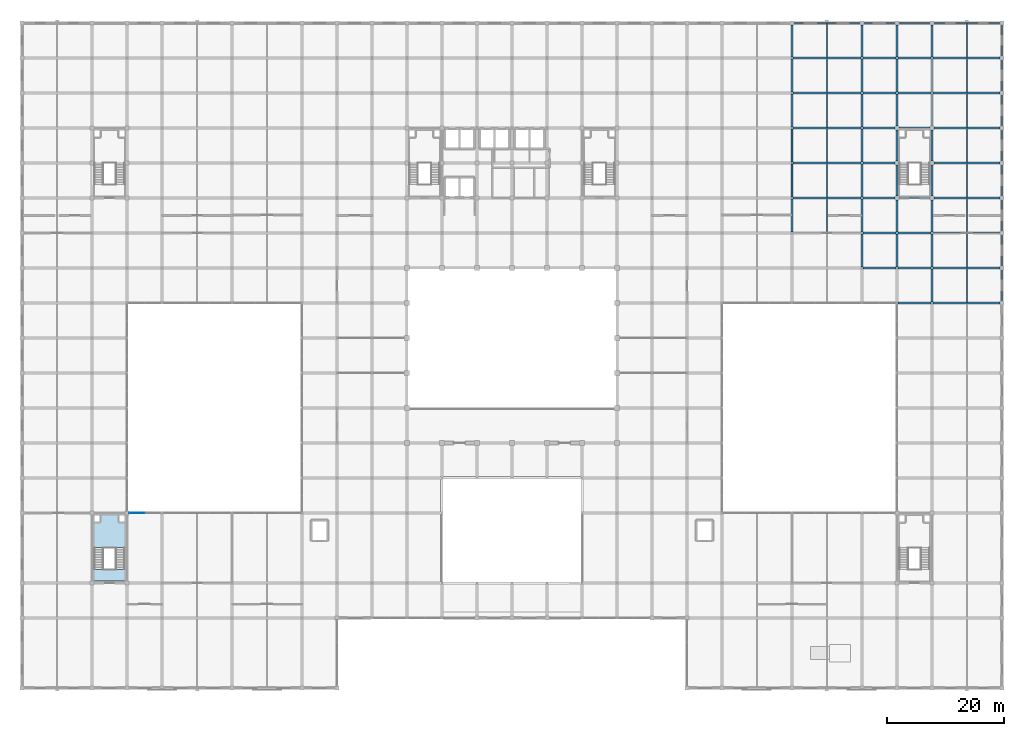
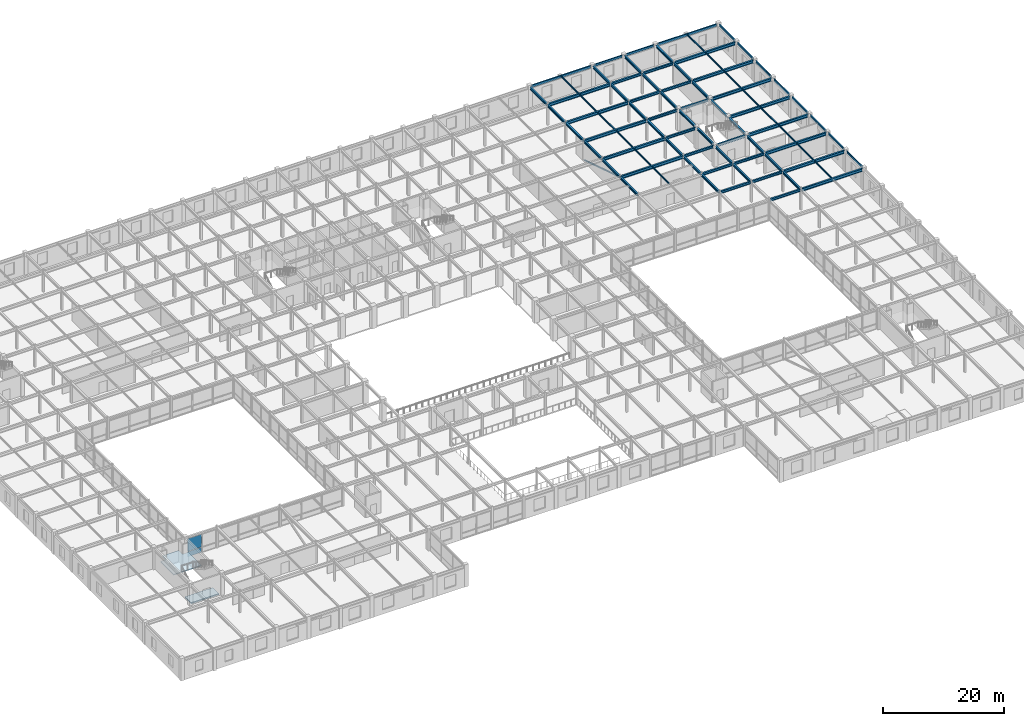
# One storey, part 92 of 108: 81 beams, 2 plates, 2 slabs, 1 member, 2 elements without a shape of their own.
"""IFC4 building model written with IfcOpenShell, lengths in metres."""

from ifc_helpers import new_model, si_unit, direction, frame, origin, origin_2d, place, context, subcontext, project, spatial, polyline, rectangle, hollow_rectangle, i_section, outline, extrude, material, layer, layer_set, material_profile, profile_set, type_object, element, aggregate, save


model = new_model("IFC4")

# Units and contexts
model_context = context("Model", 3, precision=1e-05, world=origin(), true_north=direction((0.0, 1.0)))
body_context = subcontext(model_context, "Body", "Model", "MODEL_VIEW")
ifc_project = project(units=[si_unit("LENGTHUNIT", "METRE"), si_unit("AREAUNIT", "SQUARE_METRE"), si_unit("VOLUMEUNIT", "CUBIC_METRE"), si_unit("PLANEANGLEUNIT", "RADIAN"), si_unit("MASSUNIT", "GRAM", prefix="KILO")], contexts=[model_context])

# Site, building, storey
site_placement = place(None, origin())
site = spatial("IfcSite", under=ifc_project, at=site_placement, CompositionType="ELEMENT")
building_placement = place(site_placement, origin())
building = spatial("IfcBuilding", under=site, at=building_placement, Name="Zlatovratsky Civic Hall", CompositionType="ELEMENT")
storey_placement = place(building_placement, frame((0.0, 0.0, 12.0)))
storey = spatial("IfcBuildingStorey", under=building, at=storey_placement, Name="L03", CompositionType="ELEMENT", Elevation=12.0)

# Beams
ifc_material_1 = material(Name="Steel S355", Category="steel")
ifc_material_profile_1 = material_profile(ifc_material_1, i_section(OverallWidth=0.300048828125, OverallDepth=0.48193359375, WebThickness=0.010986328125, FlangeThickness=0.014892578125, FilletRadius=0.02392578125, at=origin_2d()), Name="50Sh1")
ifc_profile_set_1 = profile_set([ifc_material_profile_1], Name="Steel S355")
beam_type_1 = type_object("IfcBeamType", Name="Beam_LibraryGirder_50Sh1", PredefinedType="BEAM", material=ifc_profile_set_1)
for number, where, z_axis, x_axis, name in (
    (1, (150.1494140625, 66.0, 3.97900390625), (1.0, 0.0, 0.0), (0.0, 1.0, 0.0), "BM-2619"),
    (2, (144.1494140625, 72.0, 3.97900390625), (1.0, 0.0, 0.0), (0.0, 1.0, 0.0), "BM-2640"),
    (3, (150.1494140625, 72.0, 3.97900390625), (1.0, 0.0, 0.0), (0.0, 1.0, 0.0), "BM-2641"),
    (4, (144.1494140625, 78.0, 3.97900390625), (1.0, 0.0, 0.0), (0.0, 1.0, 0.0), "BM-2662"),
    (5, (150.1494140625, 78.0, 3.97900390625), (1.0, 0.0, 0.0), (0.0, 1.0, 0.0), "BM-2663"),
):
    element("IfcBeam", number, at=place(storey_placement, frame(where, z_axis=z_axis, x_axis=x_axis)), inside=storey, type_object=beam_type_1, Name=name, PredefinedType="BEAM", context=body_context, shape_type="SweptSolid", body=[
        extrude(i_section(OverallWidth=0.300048828125, OverallDepth=0.48193359375, WebThickness=0.010986328125, FlangeThickness=0.014892578125, FilletRadius=0.02392578125, at=origin_2d()), origin(), (0.0, 0.0, 1.0), 5.701171875),
    ])
beam_1_placement = place(storey_placement, frame((144.1494140625, 84.0, 3.97900390625), z_axis=(1.0, 0.0, 0.0), x_axis=(0.0, 1.0, 0.0)))
element("IfcBeam", 6, at=beam_1_placement, inside=storey, type_object=beam_type_1, Name="BM-2684", PredefinedType="BEAM", context=body_context, shape_type="SweptSolid", body=[
    extrude(i_section(OverallWidth=0.300048828125, OverallDepth=0.48193359375, WebThickness=0.010986328125, FlangeThickness=0.014892578125, FilletRadius=0.02392578125, at=origin_2d()), origin(), (0.0, 0.0, 1.0), 5.50048828125),
])
beam_2_placement = place(storey_placement, frame((150.35009765625, 84.0, 3.97900390625), z_axis=(1.0, 0.0, 0.0), x_axis=(0.0, 1.0, 0.0)))
element("IfcBeam", 7, at=beam_2_placement, inside=storey, type_object=beam_type_1, Name="BM-2685", PredefinedType="BEAM", context=body_context, shape_type="SweptSolid", body=[
    extrude(i_section(OverallWidth=0.300048828125, OverallDepth=0.48193359375, WebThickness=0.010986328125, FlangeThickness=0.014892578125, FilletRadius=0.02392578125, at=origin_2d()), origin(), (0.0, 0.0, 1.0), 5.2998046875),
])
for number, where, z_axis, x_axis, name in (
    (8, (144.1494140625, 90.0, 3.97900390625), (1.0, 0.0, 0.0), (0.0, 1.0, 0.0), "BM-2703"),
    (9, (144.1494140625, 96.0, 3.97900390625), (1.0, 0.0, 0.0), (0.0, 1.0, 0.0), "BM-2724"),
):
    element("IfcBeam", number, at=place(storey_placement, frame(where, z_axis=z_axis, x_axis=x_axis)), inside=storey, type_object=beam_type_1, Name=name, PredefinedType="BEAM", context=body_context, shape_type="SweptSolid", body=[
        extrude(i_section(OverallWidth=0.300048828125, OverallDepth=0.48193359375, WebThickness=0.010986328125, FlangeThickness=0.014892578125, FilletRadius=0.02392578125, at=origin_2d()), origin(), (0.0, 0.0, 1.0), 5.50048828125),
    ])
beam_3_placement = place(storey_placement, frame((150.35009765625, 96.0, 3.97900390625), z_axis=(1.0, 0.0, 0.0), x_axis=(0.0, 1.0, 0.0)))
element("IfcBeam", 10, at=beam_3_placement, inside=storey, type_object=beam_type_1, Name="BM-2725", PredefinedType="BEAM", context=body_context, shape_type="SweptSolid", body=[
    extrude(i_section(OverallWidth=0.300048828125, OverallDepth=0.48193359375, WebThickness=0.010986328125, FlangeThickness=0.014892578125, FilletRadius=0.02392578125, at=origin_2d()), origin(), (0.0, 0.0, 1.0), 5.2998046875),
])
for number, where, z_axis, x_axis, name in (
    (11, (144.1494140625, 102.0, 3.97900390625), (1.0, 0.0, 0.0), (0.0, 1.0, 0.0), "BM-2746"),
    (12, (150.1494140625, 102.0, 3.97900390625), (1.0, 0.0, 0.0), (0.0, 1.0, 0.0), "BM-2747"),
    (13, (144.1494140625, 108.0, 3.97900390625), (1.0, 0.0, 0.0), (0.0, 1.0, 0.0), "BM-2768"),
    (14, (150.1494140625, 108.0, 3.97900390625), (1.0, 0.0, 0.0), (0.0, 1.0, 0.0), "BM-2769"),
):
    element("IfcBeam", number, at=place(storey_placement, frame(where, z_axis=z_axis, x_axis=x_axis)), inside=storey, type_object=beam_type_1, Name=name, PredefinedType="BEAM", context=body_context, shape_type="SweptSolid", body=[
        extrude(i_section(OverallWidth=0.300048828125, OverallDepth=0.48193359375, WebThickness=0.010986328125, FlangeThickness=0.014892578125, FilletRadius=0.02392578125, at=origin_2d()), origin(), (0.0, 0.0, 1.0), 5.701171875),
    ])
for number, where, z_axis, x_axis, name in (
    (15, (132.0, 78.14794921875, 3.97900390625), (0.0, 1.0, 0.0), (-1.0, 0.0, 0.0), "BM-3052"),
    (16, (132.0, 84.14794921875, 3.97900390625), (0.0, 1.0, 0.0), (-1.0, 0.0, 0.0), "BM-3053"),
    (17, (132.0, 90.14794921875, 3.97900390625), (0.0, 1.0, 0.0), (-1.0, 0.0, 0.0), "BM-3054"),
    (18, (132.0, 96.14794921875, 3.97900390625), (0.0, 1.0, 0.0), (-1.0, 0.0, 0.0), "BM-3055"),
    (19, (132.0, 102.14794921875, 3.97900390625), (0.0, 1.0, 0.0), (-1.0, 0.0, 0.0), "BM-3056"),
):
    element("IfcBeam", number, at=place(storey_placement, frame(where, z_axis=z_axis, x_axis=x_axis)), inside=storey, type_object=beam_type_1, Name=name, PredefinedType="BEAM", context=body_context, shape_type="SweptSolid", body=[
        extrude(i_section(OverallWidth=0.300048828125, OverallDepth=0.48193359375, WebThickness=0.010986328125, FlangeThickness=0.014892578125, FilletRadius=0.02392578125, at=origin_2d()), origin(), (0.0, 0.0, 1.0), 5.7041015625),
    ])
beam_4_placement = place(storey_placement, frame((132.0, 108.14794921875, 3.97900390625), z_axis=(0.0, 1.0, 0.0), x_axis=(-1.0, 0.0, 0.0)))
element("IfcBeam", 20, at=beam_4_placement, inside=storey, type_object=beam_type_1, Name="BM-3057", PredefinedType="BEAM", context=body_context, shape_type="SweptSolid", body=[
    extrude(i_section(OverallWidth=0.300048828125, OverallDepth=0.48193359375, WebThickness=0.010986328125, FlangeThickness=0.014892578125, FilletRadius=0.02392578125, at=origin_2d()), origin(), (0.0, 0.0, 1.0), 5.501953125),
])
for number, where, z_axis, x_axis, name in (
    (21, (144.0, 72.14794921875, 3.97900390625), (0.0, 1.0, 0.0), (-1.0, 0.0, 0.0), "BM-3062"),
    (22, (144.0, 78.14794921875, 3.97900390625), (0.0, 1.0, 0.0), (-1.0, 0.0, 0.0), "BM-3063"),
    (23, (144.0, 84.14794921875, 3.97900390625), (0.0, 1.0, 0.0), (-1.0, 0.0, 0.0), "BM-3064"),
    (24, (144.0, 90.14794921875, 3.97900390625), (0.0, 1.0, 0.0), (-1.0, 0.0, 0.0), "BM-3065"),
    (25, (144.0, 96.14794921875, 3.97900390625), (0.0, 1.0, 0.0), (-1.0, 0.0, 0.0), "BM-3066"),
    (26, (144.0, 102.14794921875, 3.97900390625), (0.0, 1.0, 0.0), (-1.0, 0.0, 0.0), "BM-3067"),
):
    element("IfcBeam", number, at=place(storey_placement, frame(where, z_axis=z_axis, x_axis=x_axis)), inside=storey, type_object=beam_type_1, Name=name, PredefinedType="BEAM", context=body_context, shape_type="SweptSolid", body=[
        extrude(i_section(OverallWidth=0.300048828125, OverallDepth=0.48193359375, WebThickness=0.010986328125, FlangeThickness=0.014892578125, FilletRadius=0.02392578125, at=origin_2d()), origin(), (0.0, 0.0, 1.0), 5.7041015625),
    ])
beam_5_placement = place(storey_placement, frame((144.0, 108.14794921875, 3.97900390625), z_axis=(0.0, 1.0, 0.0), x_axis=(-1.0, 0.0, 0.0)))
element("IfcBeam", 27, at=beam_5_placement, inside=storey, type_object=beam_type_1, Name="BM-3068", PredefinedType="BEAM", context=body_context, shape_type="SweptSolid", body=[
    extrude(i_section(OverallWidth=0.300048828125, OverallDepth=0.48193359375, WebThickness=0.010986328125, FlangeThickness=0.014892578125, FilletRadius=0.02392578125, at=origin_2d()), origin(), (0.0, 0.0, 1.0), 5.501953125),
])
beam_6_placement = place(storey_placement, frame((150.0, 72.14794921875, 3.97900390625), z_axis=(0.0, 1.0, 0.0), x_axis=(-1.0, 0.0, 0.0)))
element("IfcBeam", 28, at=beam_6_placement, inside=storey, type_object=beam_type_1, Name="BM-3079", PredefinedType="BEAM", context=body_context, shape_type="SweptSolid", body=[
    extrude(i_section(OverallWidth=0.300048828125, OverallDepth=0.48193359375, WebThickness=0.010986328125, FlangeThickness=0.014892578125, FilletRadius=0.02392578125, at=origin_2d()), origin(), (0.0, 0.0, 1.0), 5.7041015625),
])
beam_7_placement = place(storey_placement, frame((150.0, 78.14794921875, 3.97900390625), z_axis=(0.0, 1.0, 0.0), x_axis=(-1.0, 0.0, 0.0)))
element("IfcBeam", 29, at=beam_7_placement, inside=storey, type_object=beam_type_1, Name="BM-3080", PredefinedType="BEAM", context=body_context, shape_type="SweptSolid", body=[
    extrude(i_section(OverallWidth=0.300048828125, OverallDepth=0.48193359375, WebThickness=0.010986328125, FlangeThickness=0.014892578125, FilletRadius=0.02392578125, at=origin_2d()), origin(), (0.0, 0.0, 1.0), 5.501953125),
])
for number, where, z_axis, x_axis, name in (
    (30, (150.0, 84.35009765625, 3.97900390625), (0.0, 1.0, 0.0), (-1.0, 0.0, 0.0), "BM-3081"),
    (31, (150.0, 90.35009765625, 3.97900390625), (0.0, 1.0, 0.0), (-1.0, 0.0, 0.0), "BM-3082"),
):
    element("IfcBeam", number, at=place(storey_placement, frame(where, z_axis=z_axis, x_axis=x_axis)), inside=storey, type_object=beam_type_1, Name=name, PredefinedType="BEAM", context=body_context, shape_type="SweptSolid", body=[
        extrude(i_section(OverallWidth=0.300048828125, OverallDepth=0.48193359375, WebThickness=0.010986328125, FlangeThickness=0.014892578125, FilletRadius=0.02392578125, at=origin_2d()), origin(), (0.0, 0.0, 1.0), 5.2998046875),
    ])
beam_8_placement = place(storey_placement, frame((150.0, 96.35009765625, 3.97900390625), z_axis=(0.0, 1.0, 0.0), x_axis=(-1.0, 0.0, 0.0)))
element("IfcBeam", 32, at=beam_8_placement, inside=storey, type_object=beam_type_1, Name="BM-3083", PredefinedType="BEAM", context=body_context, shape_type="SweptSolid", body=[
    extrude(i_section(OverallWidth=0.300048828125, OverallDepth=0.48193359375, WebThickness=0.010986328125, FlangeThickness=0.014892578125, FilletRadius=0.02392578125, at=origin_2d()), origin(), (0.0, 0.0, 1.0), 5.501953125),
])
beam_9_placement = place(storey_placement, frame((150.0, 102.14794921875, 3.97900390625), z_axis=(0.0, 1.0, 0.0), x_axis=(-1.0, 0.0, 0.0)))
element("IfcBeam", 33, at=beam_9_placement, inside=storey, type_object=beam_type_1, Name="BM-3084", PredefinedType="BEAM", context=body_context, shape_type="SweptSolid", body=[
    extrude(i_section(OverallWidth=0.300048828125, OverallDepth=0.48193359375, WebThickness=0.010986328125, FlangeThickness=0.014892578125, FilletRadius=0.02392578125, at=origin_2d()), origin(), (0.0, 0.0, 1.0), 5.7041015625),
])
beam_10_placement = place(storey_placement, frame((150.0, 108.14794921875, 3.97900390625), z_axis=(0.0, 1.0, 0.0), x_axis=(-1.0, 0.0, 0.0)))
element("IfcBeam", 34, at=beam_10_placement, inside=storey, type_object=beam_type_1, Name="BM-3085", PredefinedType="BEAM", context=body_context, shape_type="SweptSolid", body=[
    extrude(i_section(OverallWidth=0.300048828125, OverallDepth=0.48193359375, WebThickness=0.010986328125, FlangeThickness=0.014892578125, FilletRadius=0.02392578125, at=origin_2d()), origin(), (0.0, 0.0, 1.0), 5.501953125),
])
for number, where, z_axis, x_axis, name in (
    (35, (156.0, 66.14794921875, 3.97900390625), (0.0, 1.0, 0.0), (-1.0, 0.0, 0.0), "BM-3095"),
    (36, (156.0, 72.14794921875, 3.97900390625), (0.0, 1.0, 0.0), (-1.0, 0.0, 0.0), "BM-3096"),
):
    element("IfcBeam", number, at=place(storey_placement, frame(where, z_axis=z_axis, x_axis=x_axis)), inside=storey, type_object=beam_type_1, Name=name, PredefinedType="BEAM", context=body_context, shape_type="SweptSolid", body=[
        extrude(i_section(OverallWidth=0.300048828125, OverallDepth=0.48193359375, WebThickness=0.010986328125, FlangeThickness=0.014892578125, FilletRadius=0.02392578125, at=origin_2d()), origin(), (0.0, 0.0, 1.0), 5.7041015625),
    ])
beam_11_placement = place(storey_placement, frame((156.0, 78.14794921875, 3.97900390625), z_axis=(0.0, 1.0, 0.0), x_axis=(-1.0, 0.0, 0.0)))
element("IfcBeam", 37, at=beam_11_placement, inside=storey, type_object=beam_type_1, Name="BM-3097", PredefinedType="BEAM", context=body_context, shape_type="SweptSolid", body=[
    extrude(i_section(OverallWidth=0.300048828125, OverallDepth=0.48193359375, WebThickness=0.010986328125, FlangeThickness=0.014892578125, FilletRadius=0.02392578125, at=origin_2d()), origin(), (0.0, 0.0, 1.0), 5.501953125),
])
for number, where, z_axis, x_axis, name in (
    (38, (156.0, 84.35009765625, 3.97900390625), (0.0, 1.0, 0.0), (-1.0, 0.0, 0.0), "BM-3098"),
    (39, (156.0, 90.35009765625, 3.97900390625), (0.0, 1.0, 0.0), (-1.0, 0.0, 0.0), "BM-3099"),
):
    element("IfcBeam", number, at=place(storey_placement, frame(where, z_axis=z_axis, x_axis=x_axis)), inside=storey, type_object=beam_type_1, Name=name, PredefinedType="BEAM", context=body_context, shape_type="SweptSolid", body=[
        extrude(i_section(OverallWidth=0.300048828125, OverallDepth=0.48193359375, WebThickness=0.010986328125, FlangeThickness=0.014892578125, FilletRadius=0.02392578125, at=origin_2d()), origin(), (0.0, 0.0, 1.0), 5.2998046875),
    ])
beam_12_placement = place(storey_placement, frame((156.0, 96.35009765625, 3.97900390625), z_axis=(0.0, 1.0, 0.0), x_axis=(-1.0, 0.0, 0.0)))
element("IfcBeam", 40, at=beam_12_placement, inside=storey, type_object=beam_type_1, Name="BM-3100", PredefinedType="BEAM", context=body_context, shape_type="SweptSolid", body=[
    extrude(i_section(OverallWidth=0.300048828125, OverallDepth=0.48193359375, WebThickness=0.010986328125, FlangeThickness=0.014892578125, FilletRadius=0.02392578125, at=origin_2d()), origin(), (0.0, 0.0, 1.0), 5.501953125),
])
beam_13_placement = place(storey_placement, frame((156.0, 102.14794921875, 3.97900390625), z_axis=(0.0, 1.0, 0.0), x_axis=(-1.0, 0.0, 0.0)))
element("IfcBeam", 41, at=beam_13_placement, inside=storey, type_object=beam_type_1, Name="BM-3101", PredefinedType="BEAM", context=body_context, shape_type="SweptSolid", body=[
    extrude(i_section(OverallWidth=0.300048828125, OverallDepth=0.48193359375, WebThickness=0.010986328125, FlangeThickness=0.014892578125, FilletRadius=0.02392578125, at=origin_2d()), origin(), (0.0, 0.0, 1.0), 5.7041015625),
])
beam_14_placement = place(storey_placement, frame((156.0, 108.14794921875, 3.97900390625), z_axis=(0.0, 1.0, 0.0), x_axis=(-1.0, 0.0, 0.0)))
element("IfcBeam", 42, at=beam_14_placement, inside=storey, type_object=beam_type_1, Name="BM-3102", PredefinedType="BEAM", context=body_context, shape_type="SweptSolid", body=[
    extrude(i_section(OverallWidth=0.300048828125, OverallDepth=0.48193359375, WebThickness=0.010986328125, FlangeThickness=0.014892578125, FilletRadius=0.02392578125, at=origin_2d()), origin(), (0.0, 0.0, 1.0), 5.501953125),
])
ifc_material_profile_2 = material_profile(ifc_material_1, i_section(OverallWidth=0.320068359375, OverallDepth=0.58203125, WebThickness=0.011962890625, FlangeThickness=0.01708984375, FilletRadius=0.02392578125, at=origin_2d()), Name="60Sh1")
ifc_profile_set_2 = profile_set([ifc_material_profile_2], Name="Steel S355")
beam_type_2 = type_object("IfcBeamType", Name="Beam_PodiumGirder_60Sh1", PredefinedType="BEAM", material=ifc_profile_set_2)
for number, where, z_axis, x_axis, name in (
    (43, (156.1494140625, 66.0, 3.928955078125), (1.0, 0.0, 0.0), (0.0, 1.0, 0.0), "BM-2620"),
    (44, (156.1494140625, 72.0, 3.928955078125), (1.0, 0.0, 0.0), (0.0, 1.0, 0.0), "BM-2642"),
    (45, (156.1494140625, 78.0, 3.928955078125), (1.0, 0.0, 0.0), (0.0, 1.0, 0.0), "BM-2664"),
):
    element("IfcBeam", number, at=place(storey_placement, frame(where, z_axis=z_axis, x_axis=x_axis)), inside=storey, type_object=beam_type_2, Name=name, PredefinedType="BEAM", context=body_context, shape_type="SweptSolid", body=[
        extrude(i_section(OverallWidth=0.320068359375, OverallDepth=0.58203125, WebThickness=0.011962890625, FlangeThickness=0.01708984375, FilletRadius=0.02392578125, at=origin_2d()), origin(), (0.0, 0.0, 1.0), 11.50048828125),
    ])
beam_15_placement = place(storey_placement, frame((132.1494140625, 84.0, 3.928955078125), z_axis=(1.0, 0.0, 0.0), x_axis=(0.0, 1.0, 0.0)))
element("IfcBeam", 46, at=beam_15_placement, inside=storey, type_object=beam_type_2, Name="BM-2683", PredefinedType="BEAM", context=body_context, shape_type="SweptSolid", body=[
    extrude(i_section(OverallWidth=0.320068359375, OverallDepth=0.58203125, WebThickness=0.011962890625, FlangeThickness=0.01708984375, FilletRadius=0.02392578125, at=origin_2d()), origin(), (0.0, 0.0, 1.0), 11.701171875),
])
beam_16_placement = place(storey_placement, frame((156.35009765625, 84.0, 3.928955078125), z_axis=(1.0, 0.0, 0.0), x_axis=(0.0, 1.0, 0.0)))
element("IfcBeam", 47, at=beam_16_placement, inside=storey, type_object=beam_type_2, Name="BM-2686", PredefinedType="BEAM", context=body_context, shape_type="SweptSolid", body=[
    extrude(i_section(OverallWidth=0.320068359375, OverallDepth=0.58203125, WebThickness=0.011962890625, FlangeThickness=0.01708984375, FilletRadius=0.02392578125, at=origin_2d()), origin(), (0.0, 0.0, 1.0), 11.2998046875),
])
beam_17_placement = place(storey_placement, frame((132.1494140625, 90.0, 3.928955078125), z_axis=(1.0, 0.0, 0.0), x_axis=(0.0, 1.0, 0.0)))
element("IfcBeam", 48, at=beam_17_placement, inside=storey, type_object=beam_type_2, Name="BM-2702", PredefinedType="BEAM", context=body_context, shape_type="SweptSolid", body=[
    extrude(i_section(OverallWidth=0.320068359375, OverallDepth=0.58203125, WebThickness=0.011962890625, FlangeThickness=0.01708984375, FilletRadius=0.02392578125, at=origin_2d()), origin(), (0.0, 0.0, 1.0), 11.701171875),
])
beam_18_placement = place(storey_placement, frame((156.35009765625, 90.0, 3.928955078125), z_axis=(1.0, 0.0, 0.0), x_axis=(0.0, 1.0, 0.0)))
element("IfcBeam", 49, at=beam_18_placement, inside=storey, type_object=beam_type_2, Name="BM-2704", PredefinedType="BEAM", context=body_context, shape_type="SweptSolid", body=[
    extrude(i_section(OverallWidth=0.320068359375, OverallDepth=0.58203125, WebThickness=0.011962890625, FlangeThickness=0.01708984375, FilletRadius=0.02392578125, at=origin_2d()), origin(), (0.0, 0.0, 1.0), 11.2998046875),
])
beam_19_placement = place(storey_placement, frame((132.1494140625, 96.0, 3.928955078125), z_axis=(1.0, 0.0, 0.0), x_axis=(0.0, 1.0, 0.0)))
element("IfcBeam", 50, at=beam_19_placement, inside=storey, type_object=beam_type_2, Name="BM-2723", PredefinedType="BEAM", context=body_context, shape_type="SweptSolid", body=[
    extrude(i_section(OverallWidth=0.320068359375, OverallDepth=0.58203125, WebThickness=0.011962890625, FlangeThickness=0.01708984375, FilletRadius=0.02392578125, at=origin_2d()), origin(), (0.0, 0.0, 1.0), 11.701171875),
])
beam_20_placement = place(storey_placement, frame((156.35009765625, 96.0, 3.928955078125), z_axis=(1.0, 0.0, 0.0), x_axis=(0.0, 1.0, 0.0)))
element("IfcBeam", 51, at=beam_20_placement, inside=storey, type_object=beam_type_2, Name="BM-2726", PredefinedType="BEAM", context=body_context, shape_type="SweptSolid", body=[
    extrude(i_section(OverallWidth=0.320068359375, OverallDepth=0.58203125, WebThickness=0.011962890625, FlangeThickness=0.01708984375, FilletRadius=0.02392578125, at=origin_2d()), origin(), (0.0, 0.0, 1.0), 11.2998046875),
])
beam_21_placement = place(storey_placement, frame((132.1494140625, 102.0, 3.928955078125), z_axis=(1.0, 0.0, 0.0), x_axis=(0.0, 1.0, 0.0)))
element("IfcBeam", 52, at=beam_21_placement, inside=storey, type_object=beam_type_2, Name="BM-2745", PredefinedType="BEAM", context=body_context, shape_type="SweptSolid", body=[
    extrude(i_section(OverallWidth=0.320068359375, OverallDepth=0.58203125, WebThickness=0.011962890625, FlangeThickness=0.01708984375, FilletRadius=0.02392578125, at=origin_2d()), origin(), (0.0, 0.0, 1.0), 11.701171875),
])
beam_22_placement = place(storey_placement, frame((156.1494140625, 102.0, 3.928955078125), z_axis=(1.0, 0.0, 0.0), x_axis=(0.0, 1.0, 0.0)))
element("IfcBeam", 53, at=beam_22_placement, inside=storey, type_object=beam_type_2, Name="BM-2748", PredefinedType="BEAM", context=body_context, shape_type="SweptSolid", body=[
    extrude(i_section(OverallWidth=0.320068359375, OverallDepth=0.58203125, WebThickness=0.011962890625, FlangeThickness=0.01708984375, FilletRadius=0.02392578125, at=origin_2d()), origin(), (0.0, 0.0, 1.0), 11.50048828125),
])
beam_23_placement = place(storey_placement, frame((132.1494140625, 108.0, 3.928955078125), z_axis=(1.0, 0.0, 0.0), x_axis=(0.0, 1.0, 0.0)))
element("IfcBeam", 54, at=beam_23_placement, inside=storey, type_object=beam_type_2, Name="BM-2767", PredefinedType="BEAM", context=body_context, shape_type="SweptSolid", body=[
    extrude(i_section(OverallWidth=0.320068359375, OverallDepth=0.58203125, WebThickness=0.011962890625, FlangeThickness=0.01708984375, FilletRadius=0.02392578125, at=origin_2d()), origin(), (0.0, 0.0, 1.0), 11.701171875),
])
beam_24_placement = place(storey_placement, frame((156.1494140625, 108.0, 3.928955078125), z_axis=(1.0, 0.0, 0.0), x_axis=(0.0, 1.0, 0.0)))
element("IfcBeam", 55, at=beam_24_placement, inside=storey, type_object=beam_type_2, Name="BM-2770", PredefinedType="BEAM", context=body_context, shape_type="SweptSolid", body=[
    extrude(i_section(OverallWidth=0.320068359375, OverallDepth=0.58203125, WebThickness=0.011962890625, FlangeThickness=0.01708984375, FilletRadius=0.02392578125, at=origin_2d()), origin(), (0.0, 0.0, 1.0), 11.50048828125),
])
ifc_material_profile_3 = material_profile(ifc_material_1, i_section(OverallWidth=0.198974609375, OverallDepth=0.491943359375, WebThickness=0.0087890625, FlangeThickness=0.011962890625, FilletRadius=0.01611328125, at=origin_2d()), Name="50B1")
ifc_profile_set_3 = profile_set([ifc_material_profile_3], Name="Steel S355")
beam_type_3 = type_object("IfcBeamType", Name="Beam_Spandrel_50B1", PredefinedType="SPANDREL", material=ifc_profile_set_3)
for number, where, z_axis, x_axis, name in (
    (56, (144.35009765625, 114.0, 3.97412109375), (1.0, 0.0, 0.0), (0.0, 1.0, 0.0), "BM-2790"),
    (57, (150.35009765625, 114.0, 3.97412109375), (1.0, 0.0, 0.0), (0.0, 1.0, 0.0), "BM-2791"),
    (58, (168.0, 66.35009765625, 3.97412109375), (0.0, 1.0, 0.0), (-1.0, 0.0, 0.0), "BM-3112"),
    (59, (168.0, 72.35009765625, 3.97412109375), (0.0, 1.0, 0.0), (-1.0, 0.0, 0.0), "BM-3113"),
    (60, (168.0, 78.35009765625, 3.97412109375), (0.0, 1.0, 0.0), (-1.0, 0.0, 0.0), "BM-3114"),
    (61, (168.0, 84.35009765625, 3.97412109375), (0.0, 1.0, 0.0), (-1.0, 0.0, 0.0), "BM-3115"),
    (62, (168.0, 90.35009765625, 3.97412109375), (0.0, 1.0, 0.0), (-1.0, 0.0, 0.0), "BM-3116"),
    (63, (168.0, 96.35009765625, 3.97412109375), (0.0, 1.0, 0.0), (-1.0, 0.0, 0.0), "BM-3117"),
    (64, (168.0, 102.35009765625, 3.97412109375), (0.0, 1.0, 0.0), (-1.0, 0.0, 0.0), "BM-3118"),
    (65, (168.0, 108.35009765625, 3.97412109375), (0.0, 1.0, 0.0), (-1.0, 0.0, 0.0), "BM-3119"),
):
    element("IfcBeam", number, at=place(storey_placement, frame(where, z_axis=z_axis, x_axis=x_axis)), inside=storey, type_object=beam_type_3, Name=name, PredefinedType="SPANDREL", context=body_context, shape_type="SweptSolid", body=[
        extrude(i_section(OverallWidth=0.198974609375, OverallDepth=0.491943359375, WebThickness=0.0087890625, FlangeThickness=0.011962890625, FilletRadius=0.01611328125, at=origin_2d()), origin(), (0.0, 0.0, 1.0), 5.2998046875),
    ])
ifc_material_profile_4 = material_profile(ifc_material_1, i_section(OverallWidth=0.219970703125, OverallDepth=0.54296875, WebThickness=0.009521484375, FlangeThickness=0.013427734375, FilletRadius=0.01806640625, at=origin_2d()), Name="55B1")
ifc_profile_set_4 = profile_set([ifc_material_profile_4], Name="Steel S355")
beam_type_4 = type_object("IfcBeamType", Name="Beam_Spandrel_55B1", PredefinedType="SPANDREL", material=ifc_profile_set_4)
for number, where, z_axis, x_axis, name in (
    (66, (132.35009765625, 114.0, 3.948486328125), (1.0, 0.0, 0.0), (0.0, 1.0, 0.0), "BM-2789"),
    (67, (156.35009765625, 114.0, 3.948486328125), (1.0, 0.0, 0.0), (0.0, 1.0, 0.0), "BM-2792"),
):
    element("IfcBeam", number, at=place(storey_placement, frame(where, z_axis=z_axis, x_axis=x_axis)), inside=storey, type_object=beam_type_4, Name=name, PredefinedType="SPANDREL", context=body_context, shape_type="SweptSolid", body=[
        extrude(i_section(OverallWidth=0.219970703125, OverallDepth=0.54296875, WebThickness=0.009521484375, FlangeThickness=0.013427734375, FilletRadius=0.01806640625, at=origin_2d()), origin(), (0.0, 0.0, 1.0), 11.2998046875),
    ])

# Member
ifc_material_profile_5 = material_profile(ifc_material_1, hollow_rectangle(XDim=0.219970703125, YDim=0.219970703125, WallThickness=0.010009765625, at=origin_2d()), Name="SHS 220x220x10")
ifc_profile_set_5 = profile_set([ifc_material_profile_5], Name="Steel S355")
member_type = type_object("IfcMemberType", Name="Brace_Podium_SHS220", PredefinedType="BRACE", material=ifc_profile_set_5)
member_placement = place(storey_placement, frame((132.0, 84.14794921875, 3.949951171875), z_axis=(0.0, 0.953490939985, -0.301421677002), x_axis=(-1.0, 0.0, 0.0)))
element("IfcMember", 68, at=member_placement, inside=storey, type_object=member_type, Name="MB-0115", PredefinedType="BRACE", context=body_context, shape_type="SweptSolid", body=[
    extrude(hollow_rectangle(XDim=0.219970703125, YDim=0.219970703125, WallThickness=0.010009765625, at=origin_2d()), origin(), (0.0, 0.0, 1.0), 12.27490234375),
])

# Beams
ifc_material_profile_6 = material_profile(ifc_material_1, i_section(OverallWidth=0.14892578125, OverallDepth=0.2958984375, WebThickness=0.005615234375, FlangeThickness=0.008056640625, FilletRadius=0.012939453125, at=origin_2d()), Name="30B1")
ifc_profile_set_6 = profile_set([ifc_material_profile_6], Name="Steel S355")
beam_type_5 = type_object("IfcBeamType", Name="Joist_Tower_30B1", PredefinedType="JOIST", material=ifc_profile_set_6)
for number, where, z_axis, x_axis, name in (
    (69, (162.0, 66.159912109375, 4.072021484375), (0.0, 1.0, 0.0), (-1.0, 0.0, 0.0), "BM-3155"),
    (70, (162.0, 72.159912109375, 4.072021484375), (0.0, 1.0, 0.0), (-1.0, 0.0, 0.0), "BM-3161"),
    (71, (138.0, 78.159912109375, 4.072021484375), (0.0, 1.0, 0.0), (-1.0, 0.0, 0.0), "BM-3166"),
    (72, (162.0, 78.159912109375, 4.072021484375), (0.0, 1.0, 0.0), (-1.0, 0.0, 0.0), "BM-3167"),
    (73, (138.0, 84.159912109375, 4.072021484375), (0.0, 1.0, 0.0), (-1.0, 0.0, 0.0), "BM-3172"),
    (74, (162.0, 84.159912109375, 4.072021484375), (0.0, 1.0, 0.0), (-1.0, 0.0, 0.0), "BM-3173"),
    (75, (138.0, 90.159912109375, 4.072021484375), (0.0, 1.0, 0.0), (-1.0, 0.0, 0.0), "BM-3180"),
    (76, (162.0, 90.159912109375, 4.072021484375), (0.0, 1.0, 0.0), (-1.0, 0.0, 0.0), "BM-3181"),
    (77, (138.0, 96.159912109375, 4.072021484375), (0.0, 1.0, 0.0), (-1.0, 0.0, 0.0), "BM-3186"),
    (78, (162.0, 96.159912109375, 4.072021484375), (0.0, 1.0, 0.0), (-1.0, 0.0, 0.0), "BM-3187"),
    (79, (138.0, 102.159912109375, 4.072021484375), (0.0, 1.0, 0.0), (-1.0, 0.0, 0.0), "BM-3192"),
    (80, (162.0, 102.159912109375, 4.072021484375), (0.0, 1.0, 0.0), (-1.0, 0.0, 0.0), "BM-3193"),
):
    element("IfcBeam", number, at=place(storey_placement, frame(where, z_axis=z_axis, x_axis=x_axis)), inside=storey, type_object=beam_type_5, Name=name, PredefinedType="JOIST", context=body_context, shape_type="SweptSolid", body=[
        extrude(i_section(OverallWidth=0.14892578125, OverallDepth=0.2958984375, WebThickness=0.005615234375, FlangeThickness=0.008056640625, FilletRadius=0.012939453125, at=origin_2d()), origin(), (0.0, 0.0, 1.0), 5.68017578125),
    ])
for number, where, z_axis, x_axis, name in (
    (81, (138.0, 108.159912109375, 4.072021484375), (0.0, 1.0, 0.0), (-1.0, 0.0, 0.0), "BM-3198"),
    (82, (162.0, 108.159912109375, 4.072021484375), (0.0, 1.0, 0.0), (-1.0, 0.0, 0.0), "BM-3199"),
):
    element("IfcBeam", number, at=place(storey_placement, frame(where, z_axis=z_axis, x_axis=x_axis)), inside=storey, type_object=beam_type_5, Name=name, PredefinedType="JOIST", context=body_context, shape_type="SweptSolid", body=[
        extrude(i_section(OverallWidth=0.14892578125, OverallDepth=0.2958984375, WebThickness=0.005615234375, FlangeThickness=0.008056640625, FilletRadius=0.012939453125, at=origin_2d()), origin(), (0.0, 0.0, 1.0), 5.72998046875),
    ])

# Curtain wall, plates
ifc_material_2 = material(Name="Anodised bronze aluminium", Category="aluminium")
ifc_layer_1 = layer(ifc_material_2, 0.159912109375)
ifc_layer_set_1 = layer_set([ifc_layer_1], Name="Anodised bronze aluminium")
curtain_wall_type = type_object("IfcCurtainWallType", Name="CurtainWall_Bronze_5500x3770_10", PredefinedType="NOTDEFINED", material=ifc_layer_set_1)
curtain_wall_placement = place(storey_placement, origin())
curtain_wall = element("IfcCurtainWall", 83, at=curtain_wall_placement, inside=storey, type_object=curtain_wall_type, Name="CW-051", PredefinedType="NOTDEFINED")
ifc_material_3 = material(Name="Low-E laminated double glazing", Category="glass")
ifc_layer_2 = layer(ifc_material_3, 0.02392578125)
ifc_layer_set_2 = layer_set([ifc_layer_2], Name="Low-E laminated double glazing")
plate_type = type_object("IfcPlateType", Name="Panel_CourtGlazing_24", PredefinedType="CURTAIN_PANEL", material=ifc_layer_set_2)
plate_1_placement = place(storey_placement, frame((19.740234375, 30.0, 0.06005859375), z_axis=(0.0, 0.0, 1.0), x_axis=(1.0, 0.0, 0.0)))
plate_1 = element("IfcPlate", 84, at=plate_1_placement, type_object=plate_type, Name="CW-10 panel 1.1", PredefinedType="CURTAIN_PANEL", context=body_context, shape_type="SweptSolid", body=[
    extrude(rectangle(XDim=2.66015625, YDim=0.02392578125, at=origin_2d()), origin(), (0.0, 0.0, 1.0), 1.010009765625),
])
plate_2_placement = place(storey_placement, frame((19.740234375, 30.0, 1.1298828125), z_axis=(0.0, 0.0, 1.0), x_axis=(1.0, 0.0, 0.0)))
plate_2 = element("IfcPlate", 85, at=plate_2_placement, type_object=plate_type, Name="CW-10 panel 1.2", PredefinedType="CURTAIN_PANEL", context=body_context, shape_type="SweptSolid", body=[
    extrude(rectangle(XDim=2.66015625, YDim=0.02392578125, at=origin_2d()), origin(), (0.0, 0.0, 1.0), 2.580078125),
])
aggregate(curtain_wall, [plate_1, plate_2])

# Slab
ifc_material_4 = material(Name="Concrete C30/37 (B35)", Category="concrete")
ifc_layer_3 = layer(ifc_material_4, 0.239990234375)
ifc_layer_set_3 = layer_set([ifc_layer_3], Name="Concrete C30/37 (B35)")
slab_type_1 = type_object("IfcSlabType", Name="Slab_CivicPodiumFloor_240", PredefinedType="FLOOR", material=ifc_layer_set_3)
slab_1_placement = place(storey_placement, frame((0.0, 0.0, -0.239990234375)))
element("IfcSlab", 86, at=slab_1_placement, inside=storey, type_object=slab_type_1, Name="SL-033", PredefinedType="FLOOR", context=body_context, shape_type="SweptSolid", body=[
    extrude(outline(polyline([(12.35009765625, 18.35009765625), (17.64990234375, 18.35009765625), (17.64990234375, 20.35009765625), (12.35009765625, 20.35009765625), (12.35009765625, 18.35009765625)])), origin(), (0.0, 0.0, 1.0), 0.239990234375),
])

# Stair, slab
stair_type = type_object("IfcStairType", Name="Stair_HALF_28R_1600W_08", PredefinedType="HALF_TURN_STAIR", material=ifc_material_4)
stair_placement = place(storey_placement, origin())
stair = element("IfcStair", 87, at=stair_placement, inside=storey, type_object=stair_type, Name="ST-041", PredefinedType="HALF_TURN_STAIR")
ifc_layer_4 = layer(ifc_material_4, 0.179931640625)
ifc_layer_set_4 = layer_set([ifc_layer_4], Name="Concrete C30/37 (B35)")
slab_type_2 = type_object("IfcSlabType", Name="Slab_StairLanding_180", PredefinedType="LANDING", material=ifc_layer_set_4)
slab_2_placement = place(storey_placement, frame((0.0, 0.0, 2.070068359375)))
slab_2 = element("IfcSlab", 88, at=slab_2_placement, type_object=slab_type_2, Name="SL-LD-41", PredefinedType="LANDING", context=body_context, shape_type="SweptSolid", body=[
    extrude(outline(polyline([(12.35009765625, 24.054931640625), (17.64990234375, 24.054931640625), (17.64990234375, 28.39990234375), (16.550048828125, 28.39990234375), (16.550048828125, 29.64990234375), (13.449951171875, 29.64990234375), (13.449951171875, 28.39990234375), (12.35009765625, 28.39990234375), (12.35009765625, 24.054931640625)])), origin(), (0.0, 0.0, 1.0), 0.179931640625),
])
aggregate(stair, [slab_2])

save(model, "model.ifc")
